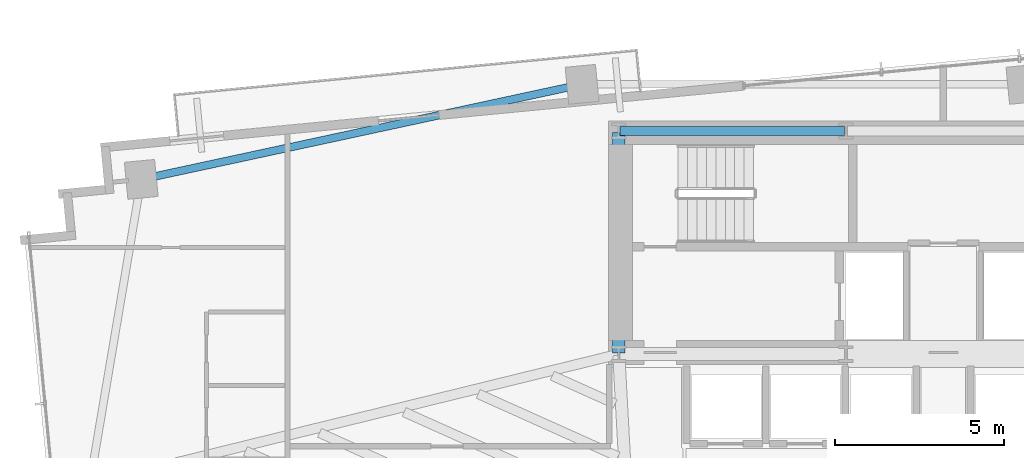
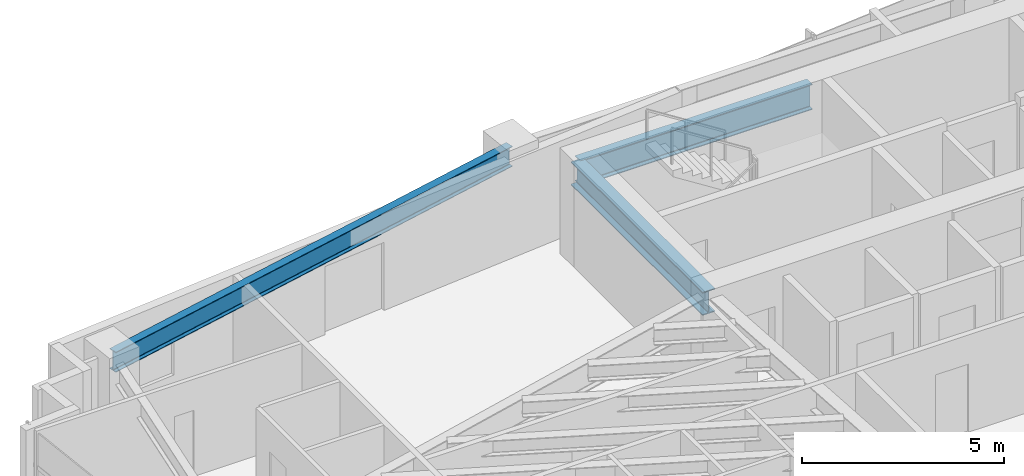
# One storey, part 9 of 27: 3 beams.
"""IFC4 building model written with IfcOpenShell, lengths in metres."""

from ifc_helpers import new_model, si_unit, direction, frame, origin, origin_2d, place, context, subcontext, project, spatial, i_section, extrude, source, transform, mapped, material, material_profile, profile_set, type_object, type_shapes, element, save


model = new_model("IFC4")

# Units and contexts
model_context = context("Model", 3, precision=1e-05, world=origin(), true_north=direction((0.0, 1.0)))
body_context = subcontext(model_context, "Body", "Model", "MODEL_VIEW")
ifc_project = project(units=[si_unit("LENGTHUNIT", "METRE"), si_unit("AREAUNIT", "SQUARE_METRE"), si_unit("VOLUMEUNIT", "CUBIC_METRE"), si_unit("PLANEANGLEUNIT", "RADIAN"), si_unit("MASSUNIT", "GRAM", prefix="KILO")], contexts=[model_context])

# Site, building, storey
site_placement = place(None, origin())
site = spatial("IfcSite", under=ifc_project, at=site_placement, CompositionType="ELEMENT")
building_placement = place(site_placement, origin())
building = spatial("IfcBuilding", under=site, at=building_placement, Name="Astriad Promenade Condominiums", CompositionType="ELEMENT")
storey_placement = place(building_placement, frame((0.0, 0.0, 93.800048828125)))
storey = spatial("IfcBuildingStorey", under=building, at=storey_placement, Name="L26", CompositionType="ELEMENT", Elevation=93.800048828125)

# Beams
ifc_material = material(Name="Steel ASTM A992 Grade 50", Category="steel")
ifc_material_profile_1 = material_profile(ifc_material, i_section(OverallWidth=0.267822265625, OverallDepth=0.76953125, WebThickness=0.015625, FlangeThickness=0.025390625, FilletRadius=0.021484375, at=origin_2d()), Name="W30X132")
ifc_profile_set_1 = profile_set([ifc_material_profile_1], Name="Steel ASTM A992 Grade 50")
beam_type_1 = type_object("IfcBeamType", Name="STEEL FLOOR GIRDER W30X132", PredefinedType="BEAM", material=ifc_profile_set_1)
shared_shape_1 = source(origin(), body_context, "Body", "SweptSolid", [
    extrude(i_section(OverallWidth=0.267822265625, OverallDepth=0.76953125, WebThickness=0.015625, FlangeThickness=0.025390625, FilletRadius=0.021484375, at=origin_2d()), origin(), (0.0, 0.0, 1.0), 6.64013671875),
])
type_shapes(beam_type_1, [shared_shape_1])
beam_1_placement = place(storey_placement, frame((26.43994140625, 24.0, 2.55517578125), z_axis=(1.0, 0.0, 0.0), x_axis=(0.0, 1.0, 0.0)))
element("IfcBeam", 1, at=beam_1_placement, inside=storey, type_object=beam_type_1, Name="Core Ring Beam CG-N1-L26", PredefinedType="BEAM", context=body_context, shape_type="MappedRepresentation", body=[
    mapped(shared_shape_1, transform((0.0, 0.0, 0.0), scale=1.0)),
])
ifc_material_profile_2 = material_profile(ifc_material, i_section(OverallWidth=0.35791015625, OverallDepth=0.706298828125, WebThickness=0.018310546875, FlangeThickness=0.0302734375, FilletRadius=0.020263671875, at=origin_2d()), Name="W27X178")
ifc_profile_set_2 = profile_set([ifc_material_profile_2], Name="Steel ASTM A992 Grade 50")
beam_type_2 = type_object("IfcBeamType", Name="STEEL FLOOR GIRDER W27X178", PredefinedType="BEAM", material=ifc_profile_set_2)
shared_shape_2 = source(origin(), body_context, "Body", "SweptSolid", [
    extrude(i_section(OverallWidth=0.35791015625, OverallDepth=0.706298828125, WebThickness=0.018310546875, FlangeThickness=0.0302734375, FilletRadius=0.020263671875, at=origin_2d()), origin(), (0.0, 0.0, 1.0), 6.52001953125),
])
type_shapes(beam_type_2, [shared_shape_2])
beam_2_placement = place(storey_placement, frame((26.39990234375, 17.43994140625, 2.586669921875), z_axis=(0.0, 1.0, 0.0), x_axis=(-1.0, 0.0, 0.0)))
element("IfcBeam", 2, at=beam_2_placement, inside=storey, type_object=beam_type_2, Name="Core Ring Beam CG-W1-L26", PredefinedType="BEAM", context=body_context, shape_type="MappedRepresentation", body=[
    mapped(shared_shape_2, transform((0.0, 0.0, 0.0), scale=1.0)),
])
ifc_material_profile_3 = material_profile(ifc_material, i_section(OverallWidth=0.22900390625, OverallDepth=0.612060546875, WebThickness=0.011962890625, FlangeThickness=0.01953125, FilletRadius=0.017822265625, at=origin_2d()), Name="W24X84")
ifc_profile_set_3 = profile_set([ifc_material_profile_3], Name="Steel ASTM A992 Grade 50")
beam_type_3 = type_object("IfcBeamType", Name="STEEL SPANDREL BEAM W24X84", PredefinedType="SPANDREL", material=ifc_profile_set_3)
shared_shape_3 = source(origin(), body_context, "Body", "SweptSolid", [
    extrude(i_section(OverallWidth=0.22900390625, OverallDepth=0.612060546875, WebThickness=0.011962890625, FlangeThickness=0.01953125, FilletRadius=0.017822265625, at=origin_2d()), origin(), (0.0, 0.0, 1.0), 13.25927734375),
])
type_shapes(beam_type_3, [shared_shape_3])
beam_3_placement = place(storey_placement, frame((25.27587890625, 25.37158203125, 2.6337890625), z_axis=(-0.977531608864, -0.210788884127, 0.0), x_axis=(0.210788884127, -0.977531608864, 0.0)))
element("IfcBeam", 3, at=beam_3_placement, inside=storey, type_object=beam_type_3, Name="Perimeter Spandrel Beam SP-N1-L26", PredefinedType="SPANDREL", context=body_context, shape_type="MappedRepresentation", body=[
    mapped(shared_shape_3, transform((0.0, 0.0, 0.0), scale=1.0)),
])

save(model, "model.ifc")
